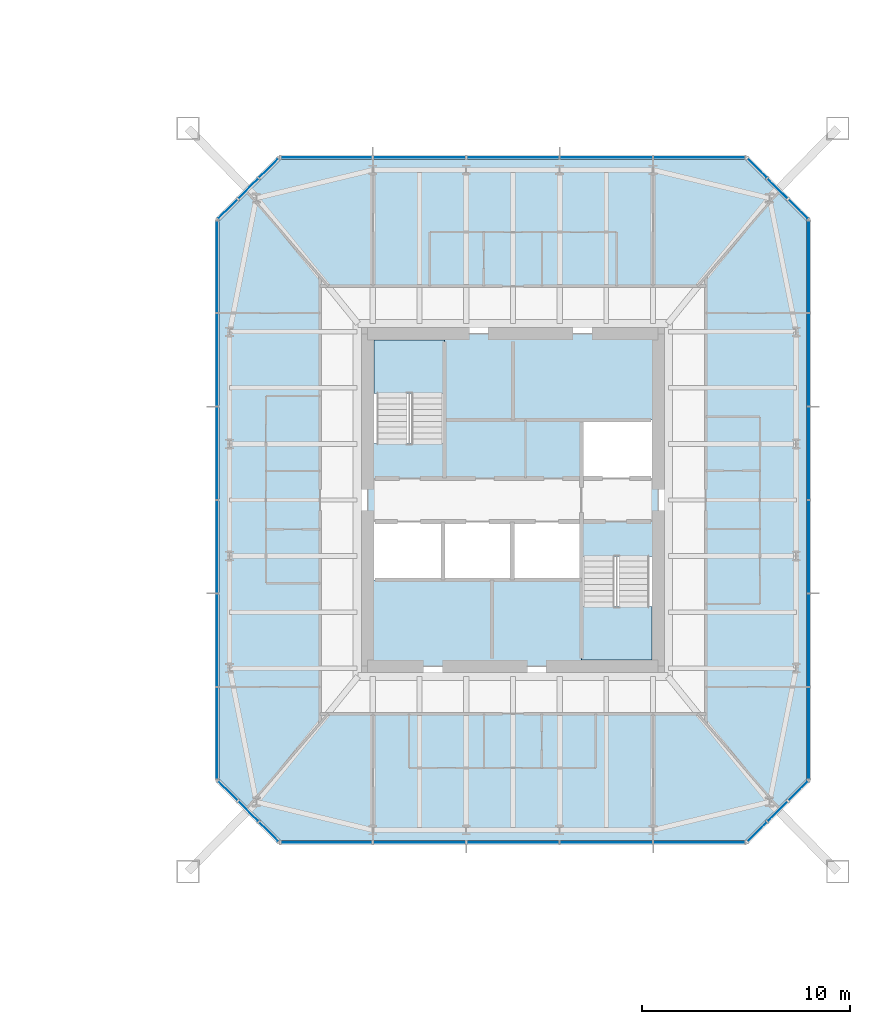
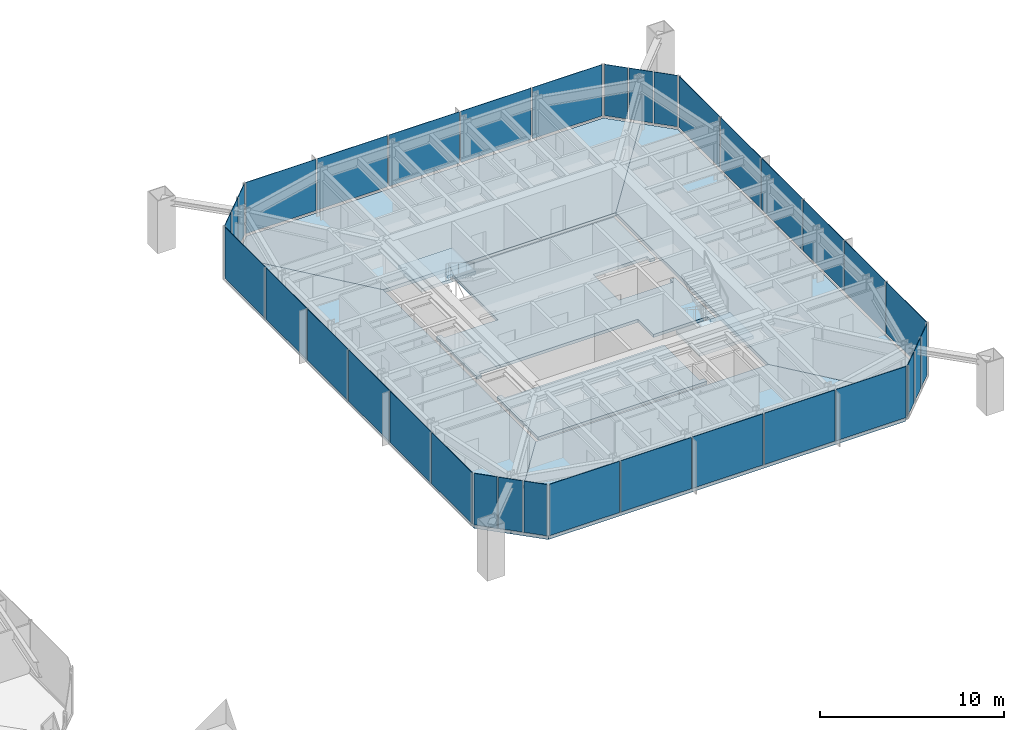
# One storey, part 12 of 25: 34 plates, 8 slabs, 10 elements without a shape of their own.
"""IFC4 building model written with IfcOpenShell, lengths in metres."""

from ifc_helpers import new_model, si_unit, direction, frame, origin, origin_2d, place, context, subcontext, project, spatial, polyline, rectangle, outline, extrude, material, layer, layer_set, constituent, constituent_set, type_object, element, aggregate, save


model = new_model("IFC4")

# Units and contexts
model_context = context("Model", 3, precision=1e-05, world=origin(), true_north=direction((0.0, 1.0)))
body_context = subcontext(model_context, "Body", "Model", "MODEL_VIEW")
ifc_project = project(units=[si_unit("LENGTHUNIT", "METRE"), si_unit("AREAUNIT", "SQUARE_METRE"), si_unit("VOLUMEUNIT", "CUBIC_METRE"), si_unit("PLANEANGLEUNIT", "RADIAN"), si_unit("MASSUNIT", "GRAM", prefix="KILO")], contexts=[model_context])

# Site, building, storey
site_placement = place(None, origin())
site = spatial("IfcSite", under=ifc_project, at=site_placement, CompositionType="ELEMENT")
building_placement = place(site_placement, origin())
building = spatial("IfcBuilding", under=site, at=building_placement, Name="Iwan Alto Co-Living Towers", CompositionType="ELEMENT")
storey_placement = place(building_placement, frame((0.0, 0.0, 112.0)))
storey = spatial("IfcBuildingStorey", under=building, at=storey_placement, Name="L30", CompositionType="ELEMENT", Elevation=112.0)

# Slabs
ifc_material_1 = material(Name="Concrete f'c 30 MPa", Category="concrete")
ifc_layer_1 = layer(ifc_material_1, 0.199951171875)
ifc_layer_set_1 = layer_set([ifc_layer_1], Name="CORE FLOOR SLAB 200")
slab_type_1 = type_object("IfcSlabType", Name="CORE FLOOR SLAB 200", PredefinedType="FLOOR", material=ifc_layer_set_1)
slab_1_placement = place(storey_placement, frame((0.0, 0.0, -0.199951171875)))
element("IfcSlab", 1, at=slab_1_placement, inside=storey, type_object=slab_type_1, Name="T2 core floor L30", PredefinedType="FLOOR", context=body_context, shape_type="SweptSolid", body=[
    extrude(outline(polyline([(70.0, -3.030029296875), (69.699951171875, -3.030029296875), (69.699951171875, -2.719970703125), (66.300048828125, -2.719970703125), (66.300048828125, -1.050048828125), (62.967041015625, -1.050048828125), (59.633056640625, -1.050048828125), (56.300048828125, -1.050048828125), (56.300048828125, -1.360107421875), (56.0, -1.360107421875), (56.0, 3.030029296875), (56.300048828125, 3.030029296875), (56.300048828125, 2.719970703125), (59.699951171875, 2.719970703125), (59.699951171875, 7.699951171875), (59.389892578125, 7.699951171875), (59.389892578125, 8.0), (70.0, 8.0), (70.0, 3.5400390625), (69.699951171875, 3.5400390625), (69.699951171875, 3.85009765625), (66.300048828125, 3.85009765625), (66.300048828125, 1.050048828125), (69.699951171875, 1.050048828125), (69.699951171875, 1.360107421875), (70.0, 1.360107421875), (70.0, -3.030029296875)])), origin(), (0.0, 0.0, 1.0), 0.199951171875),
])
slab_2_placement = place(storey_placement, frame((0.0, 0.0, -0.199951171875)))
element("IfcSlab", 2, at=slab_2_placement, inside=storey, type_object=slab_type_1, Name="T2 core floor L30", PredefinedType="FLOOR", context=body_context, shape_type="SweptSolid", body=[
    extrude(outline(polyline([(62.967041015625, -3.85009765625), (66.300048828125, -3.85009765625), (66.300048828125, -7.699951171875), (66.610107421875, -7.699951171875), (66.610107421875, -8.0), (56.0, -8.0), (56.0, -3.5400390625), (56.300048828125, -3.5400390625), (56.300048828125, -3.85009765625), (59.633056640625, -3.85009765625), (62.967041015625, -3.85009765625)])), origin(), (0.0, 0.0, 1.0), 0.199951171875),
])

# Curtain wall, plates
ifc_material_2 = material(Name="Bronze aluminium unitised frame", Category="aluminium")
curtain_wall_type_1 = type_object("IfcCurtainWallType", Name="CURTAIN WALL CW-C", PredefinedType="NOTDEFINED", material=ifc_material_2)
curtain_wall_1_placement = place(storey_placement, origin())
curtain_wall_1 = element("IfcCurtainWall", 3, at=curtain_wall_1_placement, inside=storey, type_object=curtain_wall_type_1, Name="T2 curtain wall S L30", PredefinedType="NOTDEFINED")
ifc_material_3 = material(Name="Bronze-tinted insulating glass", Category="glass")
ifc_layer_2 = layer(ifc_material_3, 0.031982421875)
ifc_layer_set_2 = layer_set([ifc_layer_2], Name="CW-C PANEL TINTED IGU 32")
plate_type_1 = type_object("IfcPlateType", Name="CW-C PANEL TINTED IGU 32", PredefinedType="CURTAIN_PANEL", material=ifc_layer_set_2)
plate_1_placement = place(storey_placement, frame((54.02001953125, -16.5, 0.10009765625), z_axis=(0.0, 0.0, 1.0), x_axis=(1.0, 0.0, 0.0)))
plate_1 = element("IfcPlate", 4, at=plate_1_placement, type_object=plate_type_1, Name="CW-C panel 1.1", PredefinedType="CURTAIN_PANEL", context=body_context, shape_type="SweptSolid", body=[
    extrude(rectangle(XDim=4.3798828125, YDim=0.031982421875, at=origin_2d()), origin(), (0.0, 0.0, 1.0), 3.39990234375),
])
plate_2_placement = place(storey_placement, frame((71.97998046875, -16.5, 0.10009765625), z_axis=(0.0, 0.0, 1.0), x_axis=(1.0, 0.0, 0.0)))
plate_2 = element("IfcPlate", 5, at=plate_2_placement, type_object=plate_type_1, Name="CW-C panel 5.1", PredefinedType="CURTAIN_PANEL", context=body_context, shape_type="SweptSolid", body=[
    extrude(rectangle(XDim=4.3798828125, YDim=0.031982421875, at=origin_2d()), origin(), (0.0, 0.0, 1.0), 3.39990234375),
])

curtain_wall_2_placement = place(storey_placement, origin())
curtain_wall_2 = element("IfcCurtainWall", 6, at=curtain_wall_2_placement, inside=storey, type_object=curtain_wall_type_1, Name="T2 curtain wall E L30", PredefinedType="NOTDEFINED")
plate_3_placement = place(storey_placement, frame((77.25, -11.22998046875, 0.10009765625), z_axis=(0.0, 0.0, 1.0), x_axis=(0.0, 1.0, 0.0)))
plate_3 = element("IfcPlate", 7, at=plate_3_placement, type_object=plate_type_1, Name="CW-C panel 1.1", PredefinedType="CURTAIN_PANEL", context=body_context, shape_type="SweptSolid", body=[
    extrude(rectangle(XDim=4.3798828125, YDim=0.031982421875, at=origin_2d()), origin(), (0.0, 0.0, 1.0), 3.39990234375),
])
plate_4_placement = place(storey_placement, frame((77.25, -6.75, 0.10009765625), z_axis=(0.0, 0.0, 1.0), x_axis=(0.0, 1.0, 0.0)))
plate_4 = element("IfcPlate", 8, at=plate_4_placement, type_object=plate_type_1, Name="CW-C panel 2.1", PredefinedType="CURTAIN_PANEL", context=body_context, shape_type="SweptSolid", body=[
    extrude(rectangle(XDim=4.419921875, YDim=0.031982421875, at=origin_2d()), origin(), (0.0, 0.0, 1.0), 3.39990234375),
])
plate_5_placement = place(storey_placement, frame((77.25, 6.75, 0.10009765625), z_axis=(0.0, 0.0, 1.0), x_axis=(0.0, 1.0, 0.0)))
plate_5 = element("IfcPlate", 9, at=plate_5_placement, type_object=plate_type_1, Name="CW-C panel 5.1", PredefinedType="CURTAIN_PANEL", context=body_context, shape_type="SweptSolid", body=[
    extrude(rectangle(XDim=4.419921875, YDim=0.031982421875, at=origin_2d()), origin(), (0.0, 0.0, 1.0), 3.39990234375),
])
plate_6_placement = place(storey_placement, frame((77.25, 11.22998046875, 0.10009765625), z_axis=(0.0, 0.0, 1.0), x_axis=(0.0, 1.0, 0.0)))
plate_6 = element("IfcPlate", 10, at=plate_6_placement, type_object=plate_type_1, Name="CW-C panel 6.1", PredefinedType="CURTAIN_PANEL", context=body_context, shape_type="SweptSolid", body=[
    extrude(rectangle(XDim=4.3798828125, YDim=0.031982421875, at=origin_2d()), origin(), (0.0, 0.0, 1.0), 3.39990234375),
])

curtain_wall_3_placement = place(storey_placement, origin())
curtain_wall_3 = element("IfcCurtainWall", 11, at=curtain_wall_3_placement, inside=storey, type_object=curtain_wall_type_1, Name="T2 curtain wall N L30", PredefinedType="NOTDEFINED")
plate_7_placement = place(storey_placement, frame((71.97998046875, 16.5, 0.10009765625), z_axis=(0.0, 0.0, 1.0), x_axis=(-1.0, 0.0, 0.0)))
plate_7 = element("IfcPlate", 12, at=plate_7_placement, type_object=plate_type_1, Name="CW-C panel 1.1", PredefinedType="CURTAIN_PANEL", context=body_context, shape_type="SweptSolid", body=[
    extrude(rectangle(XDim=4.3798828125, YDim=0.031982421875, at=origin_2d()), origin(), (0.0, 0.0, 1.0), 3.39990234375),
])
plate_8_placement = place(storey_placement, frame((54.02001953125, 16.5, 0.10009765625), z_axis=(0.0, 0.0, 1.0), x_axis=(-1.0, 0.0, 0.0)))
plate_8 = element("IfcPlate", 13, at=plate_8_placement, type_object=plate_type_1, Name="CW-C panel 5.1", PredefinedType="CURTAIN_PANEL", context=body_context, shape_type="SweptSolid", body=[
    extrude(rectangle(XDim=4.3798828125, YDim=0.031982421875, at=origin_2d()), origin(), (0.0, 0.0, 1.0), 3.39990234375),
])

curtain_wall_4_placement = place(storey_placement, origin())
curtain_wall_4 = element("IfcCurtainWall", 14, at=curtain_wall_4_placement, inside=storey, type_object=curtain_wall_type_1, Name="T2 curtain wall W L30", PredefinedType="NOTDEFINED")
plate_9_placement = place(storey_placement, frame((48.75, 11.22998046875, 0.10009765625), z_axis=(0.0, 0.0, 1.0), x_axis=(0.0, -1.0, 0.0)))
plate_9 = element("IfcPlate", 15, at=plate_9_placement, type_object=plate_type_1, Name="CW-C panel 1.1", PredefinedType="CURTAIN_PANEL", context=body_context, shape_type="SweptSolid", body=[
    extrude(rectangle(XDim=4.3798828125, YDim=0.031982421875, at=origin_2d()), origin(), (0.0, 0.0, 1.0), 3.39990234375),
])
plate_10_placement = place(storey_placement, frame((48.75, 6.75, 0.10009765625), z_axis=(0.0, 0.0, 1.0), x_axis=(0.0, -1.0, 0.0)))
plate_10 = element("IfcPlate", 16, at=plate_10_placement, type_object=plate_type_1, Name="CW-C panel 2.1", PredefinedType="CURTAIN_PANEL", context=body_context, shape_type="SweptSolid", body=[
    extrude(rectangle(XDim=4.419921875, YDim=0.031982421875, at=origin_2d()), origin(), (0.0, 0.0, 1.0), 3.39990234375),
])
plate_11_placement = place(storey_placement, frame((48.75, -6.75, 0.10009765625), z_axis=(0.0, 0.0, 1.0), x_axis=(0.0, -1.0, 0.0)))
plate_11 = element("IfcPlate", 17, at=plate_11_placement, type_object=plate_type_1, Name="CW-C panel 5.1", PredefinedType="CURTAIN_PANEL", context=body_context, shape_type="SweptSolid", body=[
    extrude(rectangle(XDim=4.419921875, YDim=0.031982421875, at=origin_2d()), origin(), (0.0, 0.0, 1.0), 3.39990234375),
])
plate_12_placement = place(storey_placement, frame((48.75, -11.22998046875, 0.10009765625), z_axis=(0.0, 0.0, 1.0), x_axis=(0.0, -1.0, 0.0)))
plate_12 = element("IfcPlate", 18, at=plate_12_placement, type_object=plate_type_1, Name="CW-C panel 6.1", PredefinedType="CURTAIN_PANEL", context=body_context, shape_type="SweptSolid", body=[
    extrude(rectangle(XDim=4.3798828125, YDim=0.031982421875, at=origin_2d()), origin(), (0.0, 0.0, 1.0), 3.39990234375),
])

# Plate
ifc_material_4 = material(Name="Insulated bronze aluminium spandrel panel", Category="aluminium")
ifc_layer_3 = layer(ifc_material_4, 0.031982421875)
ifc_layer_set_3 = layer_set([ifc_layer_3], Name="CW-C SPANDREL PANEL 32")
plate_type_2 = type_object("IfcPlateType", Name="CW-C SPANDREL PANEL 32", PredefinedType="CURTAIN_PANEL", material=ifc_layer_set_3)
plate_13_placement = place(storey_placement, frame((58.5, -16.5, 0.10009765625), z_axis=(0.0, 0.0, 1.0), x_axis=(1.0, 0.0, 0.0)))
plate_13 = element("IfcPlate", 19, at=plate_13_placement, type_object=plate_type_2, Name="CW-C spandrel panel 2.1 (braced bay)", PredefinedType="CURTAIN_PANEL", context=body_context, shape_type="SweptSolid", body=[
    extrude(rectangle(XDim=4.419921875, YDim=0.031982421875, at=origin_2d()), origin(), (0.0, 0.0, 1.0), 3.39990234375),
])

plate_14_placement = place(storey_placement, frame((63.0, -16.5, 0.10009765625), z_axis=(0.0, 0.0, 1.0), x_axis=(1.0, 0.0, 0.0)))
plate_14 = element("IfcPlate", 20, at=plate_14_placement, type_object=plate_type_2, Name="CW-C spandrel panel 3.1 (braced bay)", PredefinedType="CURTAIN_PANEL", context=body_context, shape_type="SweptSolid", body=[
    extrude(rectangle(XDim=4.419921875, YDim=0.031982421875, at=origin_2d()), origin(), (0.0, 0.0, 1.0), 3.39990234375),
])

plate_15_placement = place(storey_placement, frame((67.5, -16.5, 0.10009765625), z_axis=(0.0, 0.0, 1.0), x_axis=(1.0, 0.0, 0.0)))
plate_15 = element("IfcPlate", 21, at=plate_15_placement, type_object=plate_type_2, Name="CW-C spandrel panel 4.1 (braced bay)", PredefinedType="CURTAIN_PANEL", context=body_context, shape_type="SweptSolid", body=[
    extrude(rectangle(XDim=4.419921875, YDim=0.031982421875, at=origin_2d()), origin(), (0.0, 0.0, 1.0), 3.39990234375),
])

aggregate(curtain_wall_1, [plate_1, plate_2, plate_13, plate_14, plate_15])

plate_16_placement = place(storey_placement, frame((77.25, -2.25, 0.10009765625), z_axis=(0.0, 0.0, 1.0), x_axis=(0.0, 1.0, 0.0)))
plate_16 = element("IfcPlate", 22, at=plate_16_placement, type_object=plate_type_2, Name="CW-C spandrel panel 3.1 (braced bay)", PredefinedType="CURTAIN_PANEL", context=body_context, shape_type="SweptSolid", body=[
    extrude(rectangle(XDim=4.419921875, YDim=0.031982421875, at=origin_2d()), origin(), (0.0, 0.0, 1.0), 3.39990234375),
])

plate_17_placement = place(storey_placement, frame((77.25, 2.25, 0.10009765625), z_axis=(0.0, 0.0, 1.0), x_axis=(0.0, 1.0, 0.0)))
plate_17 = element("IfcPlate", 23, at=plate_17_placement, type_object=plate_type_2, Name="CW-C spandrel panel 4.1 (braced bay)", PredefinedType="CURTAIN_PANEL", context=body_context, shape_type="SweptSolid", body=[
    extrude(rectangle(XDim=4.419921875, YDim=0.031982421875, at=origin_2d()), origin(), (0.0, 0.0, 1.0), 3.39990234375),
])

aggregate(curtain_wall_2, [plate_3, plate_4, plate_5, plate_6, plate_16, plate_17])

plate_18_placement = place(storey_placement, frame((67.5, 16.5, 0.10009765625), z_axis=(0.0, 0.0, 1.0), x_axis=(-1.0, 0.0, 0.0)))
plate_18 = element("IfcPlate", 24, at=plate_18_placement, type_object=plate_type_2, Name="CW-C spandrel panel 2.1 (braced bay)", PredefinedType="CURTAIN_PANEL", context=body_context, shape_type="SweptSolid", body=[
    extrude(rectangle(XDim=4.419921875, YDim=0.031982421875, at=origin_2d()), origin(), (0.0, 0.0, 1.0), 3.39990234375),
])

plate_19_placement = place(storey_placement, frame((63.0, 16.5, 0.10009765625), z_axis=(0.0, 0.0, 1.0), x_axis=(-1.0, 0.0, 0.0)))
plate_19 = element("IfcPlate", 25, at=plate_19_placement, type_object=plate_type_2, Name="CW-C spandrel panel 3.1 (braced bay)", PredefinedType="CURTAIN_PANEL", context=body_context, shape_type="SweptSolid", body=[
    extrude(rectangle(XDim=4.419921875, YDim=0.031982421875, at=origin_2d()), origin(), (0.0, 0.0, 1.0), 3.39990234375),
])

plate_20_placement = place(storey_placement, frame((58.5, 16.5, 0.10009765625), z_axis=(0.0, 0.0, 1.0), x_axis=(-1.0, 0.0, 0.0)))
plate_20 = element("IfcPlate", 26, at=plate_20_placement, type_object=plate_type_2, Name="CW-C spandrel panel 4.1 (braced bay)", PredefinedType="CURTAIN_PANEL", context=body_context, shape_type="SweptSolid", body=[
    extrude(rectangle(XDim=4.419921875, YDim=0.031982421875, at=origin_2d()), origin(), (0.0, 0.0, 1.0), 3.39990234375),
])

aggregate(curtain_wall_3, [plate_7, plate_8, plate_18, plate_19, plate_20])

plate_21_placement = place(storey_placement, frame((48.75, 2.25, 0.10009765625), z_axis=(0.0, 0.0, 1.0), x_axis=(0.0, -1.0, 0.0)))
plate_21 = element("IfcPlate", 27, at=plate_21_placement, type_object=plate_type_2, Name="CW-C spandrel panel 3.1 (braced bay)", PredefinedType="CURTAIN_PANEL", context=body_context, shape_type="SweptSolid", body=[
    extrude(rectangle(XDim=4.419921875, YDim=0.031982421875, at=origin_2d()), origin(), (0.0, 0.0, 1.0), 3.39990234375),
])

plate_22_placement = place(storey_placement, frame((48.75, -2.25, 0.10009765625), z_axis=(0.0, 0.0, 1.0), x_axis=(0.0, -1.0, 0.0)))
plate_22 = element("IfcPlate", 28, at=plate_22_placement, type_object=plate_type_2, Name="CW-C spandrel panel 4.1 (braced bay)", PredefinedType="CURTAIN_PANEL", context=body_context, shape_type="SweptSolid", body=[
    extrude(rectangle(XDim=4.419921875, YDim=0.031982421875, at=origin_2d()), origin(), (0.0, 0.0, 1.0), 3.39990234375),
])

aggregate(curtain_wall_4, [plate_9, plate_10, plate_11, plate_12, plate_21, plate_22])

# Curtain wall, plates
ifc_material_5 = material(Name="Bronze aluminium unitised frame", Category="aluminium")
curtain_wall_type_2 = type_object("IfcCurtainWallType", Name="CURTAIN WALL CW-D", PredefinedType="NOTDEFINED", material=ifc_material_5)
curtain_wall_5_placement = place(storey_placement, origin())
curtain_wall_5 = element("IfcCurtainWall", 29, at=curtain_wall_5_placement, inside=storey, type_object=curtain_wall_type_2, Name="T2 chamfer curtain wall SE L30", PredefinedType="NOTDEFINED")
ifc_material_6 = material(Name="Bronze-tinted insulating glass", Category="glass")
ifc_layer_4 = layer(ifc_material_6, 0.031982421875)
ifc_layer_set_4 = layer_set([ifc_layer_4], Name="CW-D PANEL TINTED IGU 32")
plate_type_3 = type_object("IfcPlateType", Name="CW-D PANEL TINTED IGU 32", PredefinedType="CURTAIN_PANEL", material=ifc_layer_set_4)
plate_23_placement = place(storey_placement, frame((74.76416015625, -15.98583984375, 0.10009765625), z_axis=(0.0, 0.0, 1.0), x_axis=(0.707106781187, 0.707106781187, 0.0)))
plate_23 = element("IfcPlate", 30, at=plate_23_placement, type_object=plate_type_3, Name="CW-D panel 1.1", PredefinedType="CURTAIN_PANEL", context=body_context, shape_type="SweptSolid", body=[
    extrude(rectangle(XDim=1.294189453125, YDim=0.031982421875, at=origin_2d()), origin(), (0.0, 0.0, 1.0), 3.39990234375),
])
plate_24_placement = place(storey_placement, frame((75.75, -15.0, 0.10009765625), z_axis=(0.0, 0.0, 1.0), x_axis=(0.707106781187, 0.707106781187, 0.0)))
plate_24 = element("IfcPlate", 31, at=plate_24_placement, type_object=plate_type_3, Name="CW-D panel 2.1", PredefinedType="CURTAIN_PANEL", context=body_context, shape_type="SweptSolid", body=[
    extrude(rectangle(XDim=1.334228515625, YDim=0.031982421875, at=origin_2d()), origin(), (0.0, 0.0, 1.0), 3.39990234375),
])
plate_25_placement = place(storey_placement, frame((76.73583984375, -14.01416015625, 0.10009765625), z_axis=(0.0, 0.0, 1.0), x_axis=(0.707106781187, 0.707106781187, 0.0)))
plate_25 = element("IfcPlate", 32, at=plate_25_placement, type_object=plate_type_3, Name="CW-D panel 3.1", PredefinedType="CURTAIN_PANEL", context=body_context, shape_type="SweptSolid", body=[
    extrude(rectangle(XDim=1.294189453125, YDim=0.031982421875, at=origin_2d()), origin(), (0.0, 0.0, 1.0), 3.39990234375),
])
aggregate(curtain_wall_5, [plate_23, plate_24, plate_25])

curtain_wall_6_placement = place(storey_placement, origin())
curtain_wall_6 = element("IfcCurtainWall", 33, at=curtain_wall_6_placement, inside=storey, type_object=curtain_wall_type_2, Name="T2 chamfer curtain wall NE L30", PredefinedType="NOTDEFINED")
plate_26_placement = place(storey_placement, frame((76.73583984375, 14.01416015625, 0.10009765625), z_axis=(0.0, 0.0, 1.0), x_axis=(-0.707106781187, 0.707106781187, 0.0)))
plate_26 = element("IfcPlate", 34, at=plate_26_placement, type_object=plate_type_3, Name="CW-D panel 1.1", PredefinedType="CURTAIN_PANEL", context=body_context, shape_type="SweptSolid", body=[
    extrude(rectangle(XDim=1.294189453125, YDim=0.031982421875, at=origin_2d()), origin(), (0.0, 0.0, 1.0), 3.39990234375),
])
plate_27_placement = place(storey_placement, frame((75.75, 15.0, 0.10009765625), z_axis=(0.0, 0.0, 1.0), x_axis=(-0.707106781187, 0.707106781187, 0.0)))
plate_27 = element("IfcPlate", 35, at=plate_27_placement, type_object=plate_type_3, Name="CW-D panel 2.1", PredefinedType="CURTAIN_PANEL", context=body_context, shape_type="SweptSolid", body=[
    extrude(rectangle(XDim=1.334228515625, YDim=0.031982421875, at=origin_2d()), origin(), (0.0, 0.0, 1.0), 3.39990234375),
])
plate_28_placement = place(storey_placement, frame((74.76416015625, 15.98583984375, 0.10009765625), z_axis=(0.0, 0.0, 1.0), x_axis=(-0.707106781187, 0.707106781187, 0.0)))
plate_28 = element("IfcPlate", 36, at=plate_28_placement, type_object=plate_type_3, Name="CW-D panel 3.1", PredefinedType="CURTAIN_PANEL", context=body_context, shape_type="SweptSolid", body=[
    extrude(rectangle(XDim=1.294189453125, YDim=0.031982421875, at=origin_2d()), origin(), (0.0, 0.0, 1.0), 3.39990234375),
])
aggregate(curtain_wall_6, [plate_26, plate_27, plate_28])

curtain_wall_7_placement = place(storey_placement, origin())
curtain_wall_7 = element("IfcCurtainWall", 37, at=curtain_wall_7_placement, inside=storey, type_object=curtain_wall_type_2, Name="T2 chamfer curtain wall NW L30", PredefinedType="NOTDEFINED")
plate_29_placement = place(storey_placement, frame((51.23583984375, 15.98583984375, 0.10009765625), z_axis=(0.0, 0.0, 1.0), x_axis=(-0.707106781187, -0.707106781187, 0.0)))
plate_29 = element("IfcPlate", 38, at=plate_29_placement, type_object=plate_type_3, Name="CW-D panel 1.1", PredefinedType="CURTAIN_PANEL", context=body_context, shape_type="SweptSolid", body=[
    extrude(rectangle(XDim=1.294189453125, YDim=0.031982421875, at=origin_2d()), origin(), (0.0, 0.0, 1.0), 3.39990234375),
])
plate_30_placement = place(storey_placement, frame((50.25, 15.0, 0.10009765625), z_axis=(0.0, 0.0, 1.0), x_axis=(-0.707106781187, -0.707106781187, 0.0)))
plate_30 = element("IfcPlate", 39, at=plate_30_placement, type_object=plate_type_3, Name="CW-D panel 2.1", PredefinedType="CURTAIN_PANEL", context=body_context, shape_type="SweptSolid", body=[
    extrude(rectangle(XDim=1.334228515625, YDim=0.031982421875, at=origin_2d()), origin(), (0.0, 0.0, 1.0), 3.39990234375),
])
plate_31_placement = place(storey_placement, frame((49.26416015625, 14.01416015625, 0.10009765625), z_axis=(0.0, 0.0, 1.0), x_axis=(-0.707106781187, -0.707106781187, 0.0)))
plate_31 = element("IfcPlate", 40, at=plate_31_placement, type_object=plate_type_3, Name="CW-D panel 3.1", PredefinedType="CURTAIN_PANEL", context=body_context, shape_type="SweptSolid", body=[
    extrude(rectangle(XDim=1.294189453125, YDim=0.031982421875, at=origin_2d()), origin(), (0.0, 0.0, 1.0), 3.39990234375),
])
aggregate(curtain_wall_7, [plate_29, plate_30, plate_31])

curtain_wall_8_placement = place(storey_placement, origin())
curtain_wall_8 = element("IfcCurtainWall", 41, at=curtain_wall_8_placement, inside=storey, type_object=curtain_wall_type_2, Name="T2 chamfer curtain wall SW L30", PredefinedType="NOTDEFINED")
plate_32_placement = place(storey_placement, frame((49.26416015625, -14.01416015625, 0.10009765625), z_axis=(0.0, 0.0, 1.0), x_axis=(0.707106781187, -0.707106781187, 0.0)))
plate_32 = element("IfcPlate", 42, at=plate_32_placement, type_object=plate_type_3, Name="CW-D panel 1.1", PredefinedType="CURTAIN_PANEL", context=body_context, shape_type="SweptSolid", body=[
    extrude(rectangle(XDim=1.294189453125, YDim=0.031982421875, at=origin_2d()), origin(), (0.0, 0.0, 1.0), 3.39990234375),
])
plate_33_placement = place(storey_placement, frame((50.25, -15.0, 0.10009765625), z_axis=(0.0, 0.0, 1.0), x_axis=(0.707106781187, -0.707106781187, 0.0)))
plate_33 = element("IfcPlate", 43, at=plate_33_placement, type_object=plate_type_3, Name="CW-D panel 2.1", PredefinedType="CURTAIN_PANEL", context=body_context, shape_type="SweptSolid", body=[
    extrude(rectangle(XDim=1.334228515625, YDim=0.031982421875, at=origin_2d()), origin(), (0.0, 0.0, 1.0), 3.39990234375),
])
plate_34_placement = place(storey_placement, frame((51.23583984375, -15.98583984375, 0.10009765625), z_axis=(0.0, 0.0, 1.0), x_axis=(0.707106781187, -0.707106781187, 0.0)))
plate_34 = element("IfcPlate", 44, at=plate_34_placement, type_object=plate_type_3, Name="CW-D panel 3.1", PredefinedType="CURTAIN_PANEL", context=body_context, shape_type="SweptSolid", body=[
    extrude(rectangle(XDim=1.294189453125, YDim=0.031982421875, at=origin_2d()), origin(), (0.0, 0.0, 1.0), 3.39990234375),
])
aggregate(curtain_wall_8, [plate_32, plate_33, plate_34])

# Stair, slab
ifc_material_7 = material(Name="Steel ASTM A36", Category="steel")
ifc_constituent_1 = constituent(ifc_material_7, Name="Stringers", Category="LoadBearing")
ifc_material_8 = material(Name="Concrete f'c 30 MPa", Category="concrete")
ifc_constituent_2 = constituent(ifc_material_8, Name="Tread fill", Category="Finish")
ifc_constituent_set = constituent_set(constituents=[ifc_constituent_1, ifc_constituent_2], Name="STAIR 3500 TWO-FLIGHT T2 CORE")
stair_type = type_object("IfcStairType", Name="STAIR 3500 TWO-FLIGHT T2 CORE", PredefinedType="HALF_TURN_STAIR", material=ifc_constituent_set)
stair_1_placement = place(storey_placement, origin())
stair_1 = element("IfcStair", 45, at=stair_1_placement, inside=storey, type_object=stair_type, Name="Stair T2-S1 L30 to L31", PredefinedType="HALF_TURN_STAIR")
ifc_material_9 = material(Name="Concrete f'c 30 MPa", Category="concrete")
ifc_layer_5 = layer(ifc_material_9, 0.199951171875)
ifc_layer_set_5 = layer_set([ifc_layer_5], Name="STAIR LANDING 200")
slab_type_2 = type_object("IfcSlabType", Name="STAIR LANDING 200", PredefinedType="LANDING", material=ifc_layer_set_5)
slab_3_placement = place(storey_placement, frame((0.0, 0.0, 1.550048828125)))
slab_3 = element("IfcSlab", 46, at=slab_3_placement, type_object=slab_type_2, Name="T2-S1 landing 1", PredefinedType="LANDING", context=body_context, shape_type="SweptSolid", body=[
    extrude(outline(polyline([(56.300048828125, 5.139892578125), (56.300048828125, 7.699951171875), (59.699951171875, 7.699951171875), (59.699951171875, 5.139892578125), (56.300048828125, 5.139892578125)])), origin(), (0.0, 0.0, 1.0), 0.199951171875),
])
aggregate(stair_1, [slab_3])

stair_2_placement = place(storey_placement, origin())
stair_2 = element("IfcStair", 47, at=stair_2_placement, inside=storey, type_object=stair_type, Name="Stair T2-S2 L30 to L31", PredefinedType="HALF_TURN_STAIR")
slab_4_placement = place(storey_placement, frame((0.0, 0.0, 1.550048828125)))
slab_4 = element("IfcSlab", 48, at=slab_4_placement, type_object=slab_type_2, Name="T2-S2 landing 1", PredefinedType="LANDING", context=body_context, shape_type="SweptSolid", body=[
    extrude(outline(polyline([(66.300048828125, -5.139892578125), (66.300048828125, -7.699951171875), (69.699951171875, -7.699951171875), (69.699951171875, -5.139892578125), (66.300048828125, -5.139892578125)])), origin(), (0.0, 0.0, 1.0), 0.199951171875),
])
aggregate(stair_2, [slab_4])

# Slabs
ifc_material_10 = material(Name="Concrete f'c 30 MPa", Category="concrete")
ifc_layer_6 = layer(ifc_material_10, 0.22998046875)
ifc_layer_set_6 = layer_set([ifc_layer_6], Name="T2 FLOOR SLAB 230")
slab_type_3 = type_object("IfcSlabType", Name="T2 FLOOR SLAB 230", PredefinedType="FLOOR", material=ifc_layer_set_6)
slab_5_placement = place(storey_placement, frame((0.0, 0.0, -0.22998046875)))
element("IfcSlab", 49, at=slab_5_placement, inside=storey, type_object=slab_type_3, Name="T2 floor slab L30 S pour", PredefinedType="FLOOR", context=body_context, shape_type="SweptSolid", body=[
    extrude(outline(polyline([(74.19140625, -16.39990234375), (51.80859375, -16.39990234375), (50.330810546875, -14.92236328125), (55.699951171875, -8.300048828125), (70.300048828125, -8.300048828125), (75.669189453125, -14.92236328125), (74.19140625, -16.39990234375)])), origin(), (0.0, 0.0, 1.0), 0.22998046875),
])
slab_6_placement = place(storey_placement, frame((0.0, 0.0, -0.22998046875)))
element("IfcSlab", 50, at=slab_6_placement, inside=storey, type_object=slab_type_3, Name="T2 floor slab L30 E pour", PredefinedType="FLOOR", context=body_context, shape_type="SweptSolid", body=[
    extrude(outline(polyline([(77.14990234375, 13.44140625), (77.14990234375, -13.44140625), (75.669189453125, -14.92236328125), (70.300048828125, -8.300048828125), (70.300048828125, 8.300048828125), (75.669189453125, 14.92236328125), (77.14990234375, 13.44140625)])), origin(), (0.0, 0.0, 1.0), 0.22998046875),
])
slab_7_placement = place(storey_placement, frame((0.0, 0.0, -0.22998046875)))
element("IfcSlab", 51, at=slab_7_placement, inside=storey, type_object=slab_type_3, Name="T2 floor slab L30 N pour", PredefinedType="FLOOR", context=body_context, shape_type="SweptSolid", body=[
    extrude(outline(polyline([(51.80859375, 16.39990234375), (74.19140625, 16.39990234375), (75.669189453125, 14.92236328125), (70.300048828125, 8.300048828125), (55.699951171875, 8.300048828125), (50.330810546875, 14.92236328125), (51.80859375, 16.39990234375)])), origin(), (0.0, 0.0, 1.0), 0.22998046875),
])
slab_8_placement = place(storey_placement, frame((0.0, 0.0, -0.22998046875)))
element("IfcSlab", 52, at=slab_8_placement, inside=storey, type_object=slab_type_3, Name="T2 floor slab L30 W pour", PredefinedType="FLOOR", context=body_context, shape_type="SweptSolid", body=[
    extrude(outline(polyline([(48.85009765625, 13.44140625), (50.330810546875, 14.92236328125), (55.699951171875, 8.300048828125), (55.699951171875, -8.300048828125), (50.330810546875, -14.92236328125), (48.85009765625, -13.44140625), (48.85009765625, 13.44140625)])), origin(), (0.0, 0.0, 1.0), 0.22998046875),
])

save(model, "model.ifc")
